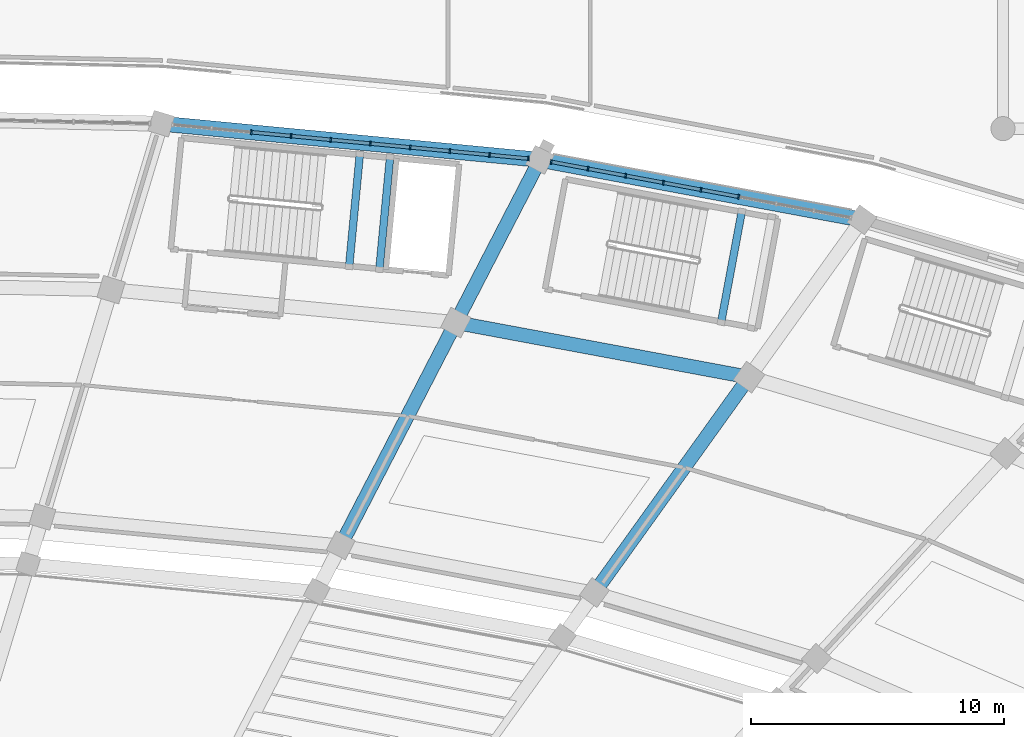
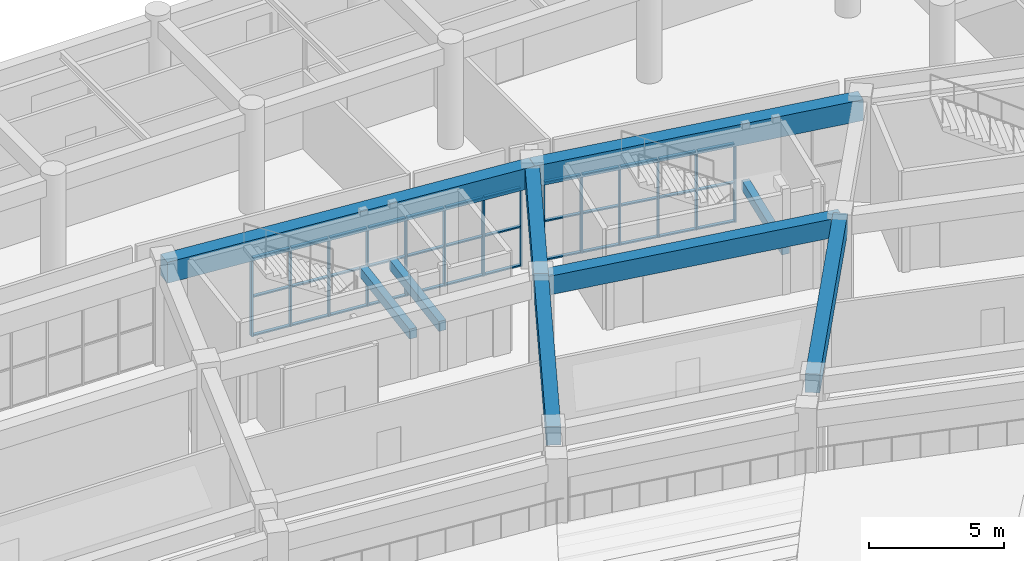
# One storey, part 70 of 152: 50 members, 9 beams, 2 elements without a shape of their own.
"""IFC4 building model written with IfcOpenShell, lengths in metres."""

from ifc_helpers import new_model, si_unit, direction, frame, origin, origin_2d, place, context, subcontext, project, spatial, rectangle, extrude, material, layer, layer_set, material_profile, profile_set, type_object, element, aggregate, save


model = new_model("IFC4")

# Units and contexts
model_context = context("Model", 3, precision=1e-05, world=origin(), true_north=direction((0.0, 1.0)))
body_context = subcontext(model_context, "Body", "Model", "MODEL_VIEW")
ifc_project = project(units=[si_unit("LENGTHUNIT", "METRE"), si_unit("AREAUNIT", "SQUARE_METRE"), si_unit("VOLUMEUNIT", "CUBIC_METRE"), si_unit("PLANEANGLEUNIT", "RADIAN"), si_unit("MASSUNIT", "GRAM", prefix="KILO")], contexts=[model_context])

# Site, building, storey
site_placement = place(None, origin())
site = spatial("IfcSite", under=ifc_project, at=site_placement, CompositionType="ELEMENT")
building_placement = place(site_placement, origin())
building = spatial("IfcBuilding", under=site, at=building_placement, Name="Mphavela Belvedere Stadium", CompositionType="ELEMENT")
storey_placement = place(building_placement, frame((0.0, 0.0, 5.39990234375)))
storey = spatial("IfcBuildingStorey", under=building, at=storey_placement, Name="L01", CompositionType="ELEMENT", Elevation=5.39990234375)

# Beams
ifc_material_1 = material(Name="Concrete C40/50", Category="concrete")
ifc_material_profile_1 = material_profile(ifc_material_1, rectangle(XDim=0.60009765625, YDim=0.949951171875, at=origin_2d()), Name="RC 600x950")
ifc_profile_set_1 = profile_set([ifc_material_profile_1], Name="Concrete C40/50")
beam_type_1 = type_object("IfcBeamType", Name="BM-ENTABLATURE-950", PredefinedType="SPANDREL", material=ifc_profile_set_1)
beam_1_placement = place(storey_placement, frame((164.80126953125, 156.39697265625, 4.0751953125), z_axis=(-0.983098571421, 0.183077029882, 0.0), x_axis=(-0.183077029882, -0.983098571421, 0.0)))
element("IfcBeam", 1, at=beam_1_placement, inside=storey, type_object=beam_type_1, Name="Circumferential girder L01 R4-10", PredefinedType="SPANDREL", context=body_context, shape_type="SweptSolid", body=[
    extrude(rectangle(XDim=0.60009765625, YDim=0.949951171875, at=origin_2d()), origin(), (0.0, 0.0, 1.0), 12.947265625),
])
beam_2_placement = place(storey_placement, frame((152.07275390625, 158.767333984375, 4.0751953125), z_axis=(-0.995483415661, 0.094935605244, 0.0), x_axis=(-0.094935605244, -0.995483415661, 0.0)))
element("IfcBeam", 2, at=beam_2_placement, inside=storey, type_object=beam_type_1, Name="Circumferential girder L01 R4-11", PredefinedType="SPANDREL", context=body_context, shape_type="SweptSolid", body=[
    extrude(rectangle(XDim=0.60009765625, YDim=0.949951171875, at=origin_2d()), origin(), (0.0, 0.0, 1.0), 15.026123046875),
])
ifc_material_2 = material(Name="Concrete C40/50", Category="concrete")
ifc_material_profile_2 = material_profile(ifc_material_2, rectangle(XDim=0.300048828125, YDim=0.449951171875, at=origin_2d()), Name="RC 300x450")
ifc_profile_set_2 = profile_set([ifc_material_profile_2], Name="Concrete C40/50")
beam_type_2 = type_object("IfcBeamType", Name="BM-RC300x450", PredefinedType="BEAM", material=ifc_profile_set_2)
beam_3_placement = place(storey_placement, frame((144.53515625, 154.541259765625, 1.97509765625), z_axis=(0.094981784239, 0.995479010659, 0.0), x_axis=(-0.995479010659, 0.094981784239, 0.0)))
element("IfcBeam", 3, at=beam_3_placement, inside=storey, type_object=beam_type_2, Name="Core C03 landing trimmer beam L01-1", PredefinedType="BEAM", context=body_context, shape_type="SweptSolid", body=[
    extrude(rectangle(XDim=0.300048828125, YDim=0.449951171875, at=origin_2d()), origin(), (0.0, 0.0, 1.0), 4.469970703125),
])
beam_4_placement = place(storey_placement, frame((145.729736328125, 154.42724609375, 1.97509765625), z_axis=(0.094976620198, 0.995479503363, 0.0), x_axis=(-0.995479503363, 0.094976620198, 0.0)))
element("IfcBeam", 4, at=beam_4_placement, inside=storey, type_object=beam_type_2, Name="Core C03 landing trimmer beam L01-2", PredefinedType="BEAM", context=body_context, shape_type="SweptSolid", body=[
    extrude(rectangle(XDim=0.300048828125, YDim=0.449951171875, at=origin_2d()), origin(), (0.0, 0.0, 1.0), 4.47021484375),
])
beam_5_placement = place(storey_placement, frame((159.233154296875, 152.34033203125, 1.97509765625), z_axis=(0.183137493709, 0.983087309652, 0.0), x_axis=(-0.983087309652, 0.183137493709, 0.0)))
element("IfcBeam", 5, at=beam_5_placement, inside=storey, type_object=beam_type_2, Name="Core P02 landing trimmer beam L01-1", PredefinedType="BEAM", context=body_context, shape_type="SweptSolid", body=[
    extrude(rectangle(XDim=0.300048828125, YDim=0.449951171875, at=origin_2d()), origin(), (0.0, 0.0, 1.0), 4.469970703125),
])
ifc_material_3 = material(Name="Concrete C40/50", Category="concrete")
ifc_material_profile_3 = material_profile(ifc_material_3, rectangle(XDim=0.550048828125, YDim=0.85009765625, at=origin_2d()), Name="RC 550x850")
ifc_profile_set_3 = profile_set([ifc_material_profile_3], Name="Concrete C40/50")
beam_type_3 = type_object("IfcBeamType", Name="BM-RC550x850", PredefinedType="BEAM", material=ifc_profile_set_3)
beam_6_placement = place(storey_placement, frame((160.337890625, 150.177490234375, 4.125), z_axis=(-0.983097725009, 0.18308157494, 0.0), x_axis=(-0.18308157494, -0.983097725009, 0.0)))
element("IfcBeam", 6, at=beam_6_placement, inside=storey, type_object=beam_type_3, Name="Circumferential girder L01 R3-10", PredefinedType="BEAM", context=body_context, shape_type="SweptSolid", body=[
    extrude(rectangle(XDim=0.550048828125, YDim=0.85009765625, at=origin_2d()), origin(), (0.0, 0.0, 1.0), 11.786865234375),
])
beam_7_placement = place(storey_placement, frame((154.230224609375, 141.66650390625, 4.125), z_axis=(0.583031296474, 0.812449695262, 0.0), x_axis=(-0.812449695262, 0.583031296474, 0.0)))
element("IfcBeam", 7, at=beam_7_placement, inside=storey, type_object=beam_type_3, Name="Radial concourse girder L01 R2R3-10", PredefinedType="BEAM", context=body_context, shape_type="SweptSolid", body=[
    extrude(rectangle(XDim=0.550048828125, YDim=0.85009765625, at=origin_2d()), origin(), (0.0, 0.0, 1.0), 10.475830078125),
])
beam_8_placement = place(storey_placement, frame((144.20361328125, 143.53369140625, 4.125), z_axis=(0.458944837734, 0.888464763464, 0.0), x_axis=(-0.888464763464, 0.458944837734, 0.0)))
element("IfcBeam", 8, at=beam_8_placement, inside=storey, type_object=beam_type_3, Name="Radial concourse girder L01 R2R3-11", PredefinedType="BEAM", context=body_context, shape_type="SweptSolid", body=[
    extrude(rectangle(XDim=0.550048828125, YDim=0.85009765625, at=origin_2d()), origin(), (0.0, 0.0, 1.0), 9.90673828125),
])
beam_9_placement = place(storey_placement, frame((148.750244140625, 152.33544921875, 4.125), z_axis=(0.458951286165, 0.888461432436, 0.0), x_axis=(-0.888461432436, 0.458951286165, 0.0)))
element("IfcBeam", 9, at=beam_9_placement, inside=storey, type_object=beam_type_3, Name="Radial concourse girder L01 R3R4-11", PredefinedType="BEAM", context=body_context, shape_type="SweptSolid", body=[
    extrude(rectangle(XDim=0.550048828125, YDim=0.85009765625, at=origin_2d()), origin(), (0.0, 0.0, 1.0), 7.2392578125),
])

# Curtain wall, members
ifc_material_4 = material(Name="Anodised bronze unitised curtain wall framing")
ifc_layer_1 = layer(ifc_material_4, 0.199951171875)
ifc_layer_set_1 = layer_set([ifc_layer_1], Name="Anodised bronze unitised curtain wall framing")
curtain_wall_type_1 = type_object("IfcCurtainWallType", Name="CW-UNIT-05", PredefinedType="USERDEFINED", material=ifc_layer_set_1)
curtain_wall_1_placement = place(storey_placement, origin())
curtain_wall_1 = element("IfcCurtainWall", 10, at=curtain_wall_1_placement, inside=storey, type_object=curtain_wall_type_1, Name="Belvedere colonnade curtain wall L01-10", ObjectType="UNITISED CURTAIN WALL", PredefinedType="USERDEFINED")
ifc_material_5 = material(Name="Anodised bronze extruded aluminium", Category="aluminium")
ifc_material_profile_4 = material_profile(ifc_material_5, rectangle(XDim=0.179931640625, YDim=0.06494140625, at=origin_2d()), Name="CW-MUL 180x65")
ifc_profile_set_4 = profile_set([ifc_material_profile_4], Name="Anodised bronze extruded aluminium")
member_type_1 = type_object("IfcMemberType", Name="CWM-180x65", PredefinedType="MULLION", material=ifc_profile_set_4)
member_1_placement = place(storey_placement, frame((159.924072265625, 157.30517578125, 0.0), z_axis=(0.0, 0.0, 1.0), x_axis=(-0.18309495886, -0.983095232437, 0.0)))
member_1 = element("IfcMember", 11, at=member_1_placement, type_object=member_type_1, Name="CW-05 mullion 4", PredefinedType="MULLION", context=body_context, shape_type="SweptSolid", body=[
    extrude(rectangle(XDim=0.179931640625, YDim=0.06494140625, at=origin_2d()), origin(), (0.0, 0.0, 1.0), 3.570068359375),
])
member_2_placement = place(storey_placement, frame((158.43701171875, 157.58203125, 0.0), z_axis=(0.0, 0.0, 1.0), x_axis=(-0.18309495886, -0.983095232437, 0.0)))
member_2 = element("IfcMember", 12, at=member_2_placement, type_object=member_type_1, Name="CW-05 mullion 5", PredefinedType="MULLION", context=body_context, shape_type="SweptSolid", body=[
    extrude(rectangle(XDim=0.179931640625, YDim=0.06494140625, at=origin_2d()), origin(), (0.0, 0.0, 1.0), 3.570068359375),
])
member_3_placement = place(storey_placement, frame((156.949951171875, 157.859130859375, 0.0), z_axis=(0.0, 0.0, 1.0), x_axis=(-0.18309495886, -0.983095232437, 0.0)))
member_3 = element("IfcMember", 13, at=member_3_placement, type_object=member_type_1, Name="CW-05 mullion 6", PredefinedType="MULLION", context=body_context, shape_type="SweptSolid", body=[
    extrude(rectangle(XDim=0.179931640625, YDim=0.06494140625, at=origin_2d()), origin(), (0.0, 0.0, 1.0), 3.570068359375),
])
member_4_placement = place(storey_placement, frame((155.462890625, 158.135986328125, 0.0), z_axis=(0.0, 0.0, 1.0), x_axis=(-0.18309495886, -0.983095232437, 0.0)))
member_4 = element("IfcMember", 14, at=member_4_placement, type_object=member_type_1, Name="CW-05 mullion 7", PredefinedType="MULLION", context=body_context, shape_type="SweptSolid", body=[
    extrude(rectangle(XDim=0.179931640625, YDim=0.06494140625, at=origin_2d()), origin(), (0.0, 0.0, 1.0), 3.570068359375),
])
member_5_placement = place(storey_placement, frame((153.9755859375, 158.4130859375, 0.0), z_axis=(0.0, 0.0, 1.0), x_axis=(-0.18309495886, -0.983095232437, 0.0)))
member_5 = element("IfcMember", 15, at=member_5_placement, type_object=member_type_1, Name="CW-05 mullion 8", PredefinedType="MULLION", context=body_context, shape_type="SweptSolid", body=[
    extrude(rectangle(XDim=0.179931640625, YDim=0.06494140625, at=origin_2d()), origin(), (0.0, 0.0, 1.0), 3.570068359375),
])
member_6_placement = place(storey_placement, frame((152.5205078125, 158.68408203125, 0.0), z_axis=(0.0, 0.0, 1.0), x_axis=(-0.18309495886, -0.983095232437, 0.0)))
member_6 = element("IfcMember", 16, at=member_6_placement, type_object=member_type_1, Name="CW-05 mullion 9", PredefinedType="MULLION", context=body_context, shape_type="SweptSolid", body=[
    extrude(rectangle(XDim=0.179931640625, YDim=0.06494140625, at=origin_2d()), origin(), (0.0, 0.0, 1.0), 3.570068359375),
])

ifc_material_6 = material(Name="Anodised bronze unitised curtain wall framing")
ifc_layer_2 = layer(ifc_material_6, 0.205078125)
ifc_layer_set_2 = layer_set([ifc_layer_2], Name="Anodised bronze unitised curtain wall framing")
curtain_wall_type_2 = type_object("IfcCurtainWallType", Name="CW-UNIT-06", PredefinedType="USERDEFINED", material=ifc_layer_set_2)
curtain_wall_2_placement = place(storey_placement, origin())
curtain_wall_2 = element("IfcCurtainWall", 17, at=curtain_wall_2_placement, inside=storey, type_object=curtain_wall_type_2, Name="Belvedere colonnade curtain wall L01-11", ObjectType="UNITISED CURTAIN WALL", PredefinedType="USERDEFINED")
member_7_placement = place(storey_placement, frame((151.619384765625, 158.810791015625, 0.0), z_axis=(0.0, 0.0, 1.0), x_axis=(-0.094922243726, -0.99548468981, 0.0)))
member_7 = element("IfcMember", 18, at=member_7_placement, type_object=member_type_1, Name="CW-06 mullion 1", PredefinedType="MULLION", context=body_context, shape_type="SweptSolid", body=[
    extrude(rectangle(XDim=0.179931640625, YDim=0.06494140625, at=origin_2d()), origin(), (0.0, 0.0, 1.0), 3.570068359375),
])
member_8_placement = place(storey_placement, frame((150.083251953125, 158.957275390625, 0.0), z_axis=(0.0, 0.0, 1.0), x_axis=(-0.094922243726, -0.99548468981, 0.0)))
member_8 = element("IfcMember", 19, at=member_8_placement, type_object=member_type_1, Name="CW-06 mullion 2", PredefinedType="MULLION", context=body_context, shape_type="SweptSolid", body=[
    extrude(rectangle(XDim=0.179931640625, YDim=0.06494140625, at=origin_2d()), origin(), (0.0, 0.0, 1.0), 3.570068359375),
])
member_9_placement = place(storey_placement, frame((148.514892578125, 159.106689453125, 0.0), z_axis=(0.0, 0.0, 1.0), x_axis=(-0.094922243726, -0.99548468981, 0.0)))
member_9 = element("IfcMember", 20, at=member_9_placement, type_object=member_type_1, Name="CW-06 mullion 3", PredefinedType="MULLION", context=body_context, shape_type="SweptSolid", body=[
    extrude(rectangle(XDim=0.179931640625, YDim=0.06494140625, at=origin_2d()), origin(), (0.0, 0.0, 1.0), 3.570068359375),
])
member_10_placement = place(storey_placement, frame((146.9462890625, 159.25634765625, 0.0), z_axis=(0.0, 0.0, 1.0), x_axis=(-0.094922243726, -0.99548468981, 0.0)))
member_10 = element("IfcMember", 21, at=member_10_placement, type_object=member_type_1, Name="CW-06 mullion 4", PredefinedType="MULLION", context=body_context, shape_type="SweptSolid", body=[
    extrude(rectangle(XDim=0.179931640625, YDim=0.06494140625, at=origin_2d()), origin(), (0.0, 0.0, 1.0), 3.570068359375),
])
member_11_placement = place(storey_placement, frame((145.3779296875, 159.40576171875, 0.0), z_axis=(0.0, 0.0, 1.0), x_axis=(-0.094922243726, -0.99548468981, 0.0)))
member_11 = element("IfcMember", 22, at=member_11_placement, type_object=member_type_1, Name="CW-06 mullion 5", PredefinedType="MULLION", context=body_context, shape_type="SweptSolid", body=[
    extrude(rectangle(XDim=0.179931640625, YDim=0.06494140625, at=origin_2d()), origin(), (0.0, 0.0, 1.0), 3.570068359375),
])
member_12_placement = place(storey_placement, frame((143.8095703125, 159.555419921875, 0.0), z_axis=(0.0, 0.0, 1.0), x_axis=(-0.094922243726, -0.99548468981, 0.0)))
member_12 = element("IfcMember", 23, at=member_12_placement, type_object=member_type_1, Name="CW-06 mullion 6", PredefinedType="MULLION", context=body_context, shape_type="SweptSolid", body=[
    extrude(rectangle(XDim=0.179931640625, YDim=0.06494140625, at=origin_2d()), origin(), (0.0, 0.0, 1.0), 3.570068359375),
])
member_13_placement = place(storey_placement, frame((142.240966796875, 159.704833984375, 0.0), z_axis=(0.0, 0.0, 1.0), x_axis=(-0.094922243726, -0.99548468981, 0.0)))
member_13 = element("IfcMember", 24, at=member_13_placement, type_object=member_type_1, Name="CW-06 mullion 7", PredefinedType="MULLION", context=body_context, shape_type="SweptSolid", body=[
    extrude(rectangle(XDim=0.179931640625, YDim=0.06494140625, at=origin_2d()), origin(), (0.0, 0.0, 1.0), 3.570068359375),
])
member_14_placement = place(storey_placement, frame((140.672607421875, 159.8544921875, 0.0), z_axis=(0.0, 0.0, 1.0), x_axis=(-0.094922243726, -0.99548468981, 0.0)))
member_14 = element("IfcMember", 25, at=member_14_placement, type_object=member_type_1, Name="CW-06 mullion 8", PredefinedType="MULLION", context=body_context, shape_type="SweptSolid", body=[
    extrude(rectangle(XDim=0.179931640625, YDim=0.06494140625, at=origin_2d()), origin(), (0.0, 0.0, 1.0), 3.570068359375),
])

# Member
ifc_material_7 = material(Name="Anodised bronze extruded aluminium", Category="aluminium")
ifc_material_profile_5 = material_profile(ifc_material_7, rectangle(XDim=0.139892578125, YDim=0.06005859375, at=origin_2d()), Name="CW-TRN 140x60")
ifc_profile_set_5 = profile_set([ifc_material_profile_5], Name="Anodised bronze extruded aluminium")
member_type_2 = type_object("IfcMemberType", Name="CWT-140x60", PredefinedType="USERDEFINED", material=ifc_profile_set_5)
member_15_placement = place(storey_placement, frame((159.89208984375, 157.31103515625, 0.030029296875), z_axis=(-0.983083468117, 0.183158113977, 0.0), x_axis=(-0.183158113977, -0.983083468117, 0.0)))
member_15 = element("IfcMember", 26, at=member_15_placement, type_object=member_type_2, Name="CW-05 transom 4.1", ObjectType="TRANSOM", PredefinedType="USERDEFINED", context=body_context, shape_type="SweptSolid", body=[
    extrude(rectangle(XDim=0.139892578125, YDim=0.06005859375, at=origin_2d()), origin(), (0.0, 0.0, 1.0), 1.447509765625),
])

member_16_placement = place(storey_placement, frame((159.89208984375, 157.31103515625, 1.78515625), z_axis=(-0.983083468117, 0.183158113977, 0.0), x_axis=(-0.183158113977, -0.983083468117, 0.0)))
member_16 = element("IfcMember", 27, at=member_16_placement, type_object=member_type_2, Name="CW-05 transom 4.2", ObjectType="TRANSOM", PredefinedType="USERDEFINED", context=body_context, shape_type="SweptSolid", body=[
    extrude(rectangle(XDim=0.139892578125, YDim=0.06005859375, at=origin_2d()), origin(), (0.0, 0.0, 1.0), 1.447509765625),
])

member_17_placement = place(storey_placement, frame((159.89208984375, 157.31103515625, 3.5400390625), z_axis=(-0.983083468117, 0.183158113977, 0.0), x_axis=(-0.183158113977, -0.983083468117, 0.0)))
member_17 = element("IfcMember", 28, at=member_17_placement, type_object=member_type_2, Name="CW-05 transom 4.3", ObjectType="TRANSOM", PredefinedType="USERDEFINED", context=body_context, shape_type="SweptSolid", body=[
    extrude(rectangle(XDim=0.139892578125, YDim=0.06005859375, at=origin_2d()), origin(), (0.0, 0.0, 1.0), 1.447509765625),
])

member_18_placement = place(storey_placement, frame((158.405029296875, 157.588134765625, 0.030029296875), z_axis=(-0.983083468117, 0.183158113977, 0.0), x_axis=(-0.183158113977, -0.983083468117, 0.0)))
member_18 = element("IfcMember", 29, at=member_18_placement, type_object=member_type_2, Name="CW-05 transom 5.1", ObjectType="TRANSOM", PredefinedType="USERDEFINED", context=body_context, shape_type="SweptSolid", body=[
    extrude(rectangle(XDim=0.139892578125, YDim=0.06005859375, at=origin_2d()), origin(), (0.0, 0.0, 1.0), 1.447509765625),
])

member_19_placement = place(storey_placement, frame((158.405029296875, 157.588134765625, 1.78515625), z_axis=(-0.983083468117, 0.183158113977, 0.0), x_axis=(-0.183158113977, -0.983083468117, 0.0)))
member_19 = element("IfcMember", 30, at=member_19_placement, type_object=member_type_2, Name="CW-05 transom 5.2", ObjectType="TRANSOM", PredefinedType="USERDEFINED", context=body_context, shape_type="SweptSolid", body=[
    extrude(rectangle(XDim=0.139892578125, YDim=0.06005859375, at=origin_2d()), origin(), (0.0, 0.0, 1.0), 1.447509765625),
])

member_20_placement = place(storey_placement, frame((158.405029296875, 157.588134765625, 3.5400390625), z_axis=(-0.983083468117, 0.183158113977, 0.0), x_axis=(-0.183158113977, -0.983083468117, 0.0)))
member_20 = element("IfcMember", 31, at=member_20_placement, type_object=member_type_2, Name="CW-05 transom 5.3", ObjectType="TRANSOM", PredefinedType="USERDEFINED", context=body_context, shape_type="SweptSolid", body=[
    extrude(rectangle(XDim=0.139892578125, YDim=0.06005859375, at=origin_2d()), origin(), (0.0, 0.0, 1.0), 1.447509765625),
])

member_21_placement = place(storey_placement, frame((156.91796875, 157.864990234375, 0.030029296875), z_axis=(-0.983089124524, 0.183127751155, 0.0), x_axis=(-0.183127751155, -0.983089124524, 0.0)))
member_21 = element("IfcMember", 32, at=member_21_placement, type_object=member_type_2, Name="CW-05 transom 6.1", ObjectType="TRANSOM", PredefinedType="USERDEFINED", context=body_context, shape_type="SweptSolid", body=[
    extrude(rectangle(XDim=0.139892578125, YDim=0.06005859375, at=origin_2d()), origin(), (0.0, 0.0, 1.0), 1.44775390625),
])

member_22_placement = place(storey_placement, frame((156.91796875, 157.864990234375, 1.78515625), z_axis=(-0.983089124524, 0.183127751155, 0.0), x_axis=(-0.183127751155, -0.983089124524, 0.0)))
member_22 = element("IfcMember", 33, at=member_22_placement, type_object=member_type_2, Name="CW-05 transom 6.2", ObjectType="TRANSOM", PredefinedType="USERDEFINED", context=body_context, shape_type="SweptSolid", body=[
    extrude(rectangle(XDim=0.139892578125, YDim=0.06005859375, at=origin_2d()), origin(), (0.0, 0.0, 1.0), 1.44775390625),
])

member_23_placement = place(storey_placement, frame((156.91796875, 157.864990234375, 3.5400390625), z_axis=(-0.983089124524, 0.183127751155, 0.0), x_axis=(-0.183127751155, -0.983089124524, 0.0)))
member_23 = element("IfcMember", 34, at=member_23_placement, type_object=member_type_2, Name="CW-05 transom 6.3", ObjectType="TRANSOM", PredefinedType="USERDEFINED", context=body_context, shape_type="SweptSolid", body=[
    extrude(rectangle(XDim=0.139892578125, YDim=0.06005859375, at=origin_2d()), origin(), (0.0, 0.0, 1.0), 1.44775390625),
])

member_24_placement = place(storey_placement, frame((155.430908203125, 158.14208984375, 0.030029296875), z_axis=(-0.983119469828, 0.182964772687, 0.0), x_axis=(-0.182964772687, -0.983119469828, 0.0)))
member_24 = element("IfcMember", 35, at=member_24_placement, type_object=member_type_2, Name="CW-05 transom 7.1", ObjectType="TRANSOM", PredefinedType="USERDEFINED", context=body_context, shape_type="SweptSolid", body=[
    extrude(rectangle(XDim=0.139892578125, YDim=0.06005859375, at=origin_2d()), origin(), (0.0, 0.0, 1.0), 1.44775390625),
])

member_25_placement = place(storey_placement, frame((155.430908203125, 158.14208984375, 1.78515625), z_axis=(-0.983119469828, 0.182964772687, 0.0), x_axis=(-0.182964772687, -0.983119469828, 0.0)))
member_25 = element("IfcMember", 36, at=member_25_placement, type_object=member_type_2, Name="CW-05 transom 7.2", ObjectType="TRANSOM", PredefinedType="USERDEFINED", context=body_context, shape_type="SweptSolid", body=[
    extrude(rectangle(XDim=0.139892578125, YDim=0.06005859375, at=origin_2d()), origin(), (0.0, 0.0, 1.0), 1.44775390625),
])

member_26_placement = place(storey_placement, frame((155.430908203125, 158.14208984375, 3.5400390625), z_axis=(-0.983119469828, 0.182964772687, 0.0), x_axis=(-0.182964772687, -0.983119469828, 0.0)))
member_26 = element("IfcMember", 37, at=member_26_placement, type_object=member_type_2, Name="CW-05 transom 7.3", ObjectType="TRANSOM", PredefinedType="USERDEFINED", context=body_context, shape_type="SweptSolid", body=[
    extrude(rectangle(XDim=0.139892578125, YDim=0.06005859375, at=origin_2d()), origin(), (0.0, 0.0, 1.0), 1.44775390625),
])

member_27_placement = place(storey_placement, frame((153.94384765625, 158.4189453125, 0.030029296875), z_axis=(-0.983107678668, 0.183028118453, 0.0), x_axis=(-0.183028118453, -0.983107678668, 0.0)))
member_27 = element("IfcMember", 38, at=member_27_placement, type_object=member_type_2, Name="CW-05 transom 8.1", ObjectType="TRANSOM", PredefinedType="USERDEFINED", context=body_context, shape_type="SweptSolid", body=[
    extrude(rectangle(XDim=0.139892578125, YDim=0.06005859375, at=origin_2d()), origin(), (0.0, 0.0, 1.0), 1.415283203125),
])

member_28_placement = place(storey_placement, frame((153.94384765625, 158.4189453125, 1.78515625), z_axis=(-0.983107678668, 0.183028118453, 0.0), x_axis=(-0.183028118453, -0.983107678668, 0.0)))
member_28 = element("IfcMember", 39, at=member_28_placement, type_object=member_type_2, Name="CW-05 transom 8.2", ObjectType="TRANSOM", PredefinedType="USERDEFINED", context=body_context, shape_type="SweptSolid", body=[
    extrude(rectangle(XDim=0.139892578125, YDim=0.06005859375, at=origin_2d()), origin(), (0.0, 0.0, 1.0), 1.415283203125),
])

member_29_placement = place(storey_placement, frame((153.94384765625, 158.4189453125, 3.5400390625), z_axis=(-0.983107678668, 0.183028118453, 0.0), x_axis=(-0.183028118453, -0.983107678668, 0.0)))
member_29 = element("IfcMember", 40, at=member_29_placement, type_object=member_type_2, Name="CW-05 transom 8.3", ObjectType="TRANSOM", PredefinedType="USERDEFINED", context=body_context, shape_type="SweptSolid", body=[
    extrude(rectangle(XDim=0.139892578125, YDim=0.06005859375, at=origin_2d()), origin(), (0.0, 0.0, 1.0), 1.415283203125),
])

aggregate(curtain_wall_1, [member_1, member_2, member_3, member_4, member_5, member_6, member_15, member_16, member_17, member_18, member_19, member_20, member_21, member_22, member_23, member_24, member_25, member_26, member_27, member_28, member_29])

member_30_placement = place(storey_placement, frame((151.5869140625, 158.813720703125, 0.030029296875), z_axis=(-0.995478379881, 0.094988395027, 0.0), x_axis=(-0.094988395027, -0.995478379881, 0.0)))
member_30 = element("IfcMember", 41, at=member_30_placement, type_object=member_type_2, Name="CW-06 transom 1.1", ObjectType="TRANSOM", PredefinedType="USERDEFINED", context=body_context, shape_type="SweptSolid", body=[
    extrude(rectangle(XDim=0.139892578125, YDim=0.06005859375, at=origin_2d()), origin(), (0.0, 0.0, 1.0), 1.477783203125),
])

member_31_placement = place(storey_placement, frame((151.5869140625, 158.813720703125, 1.78515625), z_axis=(-0.995478379881, 0.094988395027, 0.0), x_axis=(-0.094988395027, -0.995478379881, 0.0)))
member_31 = element("IfcMember", 42, at=member_31_placement, type_object=member_type_2, Name="CW-06 transom 1.2", ObjectType="TRANSOM", PredefinedType="USERDEFINED", context=body_context, shape_type="SweptSolid", body=[
    extrude(rectangle(XDim=0.139892578125, YDim=0.06005859375, at=origin_2d()), origin(), (0.0, 0.0, 1.0), 1.477783203125),
])

member_32_placement = place(storey_placement, frame((151.5869140625, 158.813720703125, 3.5400390625), z_axis=(-0.995478379881, 0.094988395027, 0.0), x_axis=(-0.094988395027, -0.995478379881, 0.0)))
member_32 = element("IfcMember", 43, at=member_32_placement, type_object=member_type_2, Name="CW-06 transom 1.3", ObjectType="TRANSOM", PredefinedType="USERDEFINED", context=body_context, shape_type="SweptSolid", body=[
    extrude(rectangle(XDim=0.139892578125, YDim=0.06005859375, at=origin_2d()), origin(), (0.0, 0.0, 1.0), 1.477783203125),
])

member_33_placement = place(storey_placement, frame((150.05078125, 158.960205078125, 0.030029296875), z_axis=(-0.99548893232, 0.094877740424, 0.0), x_axis=(-0.094877740424, -0.99548893232, 0.0)))
member_33 = element("IfcMember", 44, at=member_33_placement, type_object=member_type_2, Name="CW-06 transom 2.1", ObjectType="TRANSOM", PredefinedType="USERDEFINED", context=body_context, shape_type="SweptSolid", body=[
    extrude(rectangle(XDim=0.139892578125, YDim=0.06005859375, at=origin_2d()), origin(), (0.0, 0.0, 1.0), 1.510498046875),
])

member_34_placement = place(storey_placement, frame((150.05078125, 158.960205078125, 1.78515625), z_axis=(-0.99548893232, 0.094877740424, 0.0), x_axis=(-0.094877740424, -0.99548893232, 0.0)))
member_34 = element("IfcMember", 45, at=member_34_placement, type_object=member_type_2, Name="CW-06 transom 2.2", ObjectType="TRANSOM", PredefinedType="USERDEFINED", context=body_context, shape_type="SweptSolid", body=[
    extrude(rectangle(XDim=0.139892578125, YDim=0.06005859375, at=origin_2d()), origin(), (0.0, 0.0, 1.0), 1.510498046875),
])

member_35_placement = place(storey_placement, frame((150.05078125, 158.960205078125, 3.5400390625), z_axis=(-0.99548893232, 0.094877740424, 0.0), x_axis=(-0.094877740424, -0.99548893232, 0.0)))
member_35 = element("IfcMember", 46, at=member_35_placement, type_object=member_type_2, Name="CW-06 transom 2.3", ObjectType="TRANSOM", PredefinedType="USERDEFINED", context=body_context, shape_type="SweptSolid", body=[
    extrude(rectangle(XDim=0.139892578125, YDim=0.06005859375, at=origin_2d()), origin(), (0.0, 0.0, 1.0), 1.510498046875),
])

member_36_placement = place(storey_placement, frame((148.482421875, 159.10986328125, 0.030029296875), z_axis=(-0.99548893232, 0.094877740424, 0.0), x_axis=(-0.094877740424, -0.99548893232, 0.0)))
member_36 = element("IfcMember", 47, at=member_36_placement, type_object=member_type_2, Name="CW-06 transom 3.1", ObjectType="TRANSOM", PredefinedType="USERDEFINED", context=body_context, shape_type="SweptSolid", body=[
    extrude(rectangle(XDim=0.139892578125, YDim=0.06005859375, at=origin_2d()), origin(), (0.0, 0.0, 1.0), 1.510498046875),
])

member_37_placement = place(storey_placement, frame((148.482421875, 159.10986328125, 1.78515625), z_axis=(-0.99548893232, 0.094877740424, 0.0), x_axis=(-0.094877740424, -0.99548893232, 0.0)))
member_37 = element("IfcMember", 48, at=member_37_placement, type_object=member_type_2, Name="CW-06 transom 3.2", ObjectType="TRANSOM", PredefinedType="USERDEFINED", context=body_context, shape_type="SweptSolid", body=[
    extrude(rectangle(XDim=0.139892578125, YDim=0.06005859375, at=origin_2d()), origin(), (0.0, 0.0, 1.0), 1.510498046875),
])

member_38_placement = place(storey_placement, frame((148.482421875, 159.10986328125, 3.5400390625), z_axis=(-0.99548893232, 0.094877740424, 0.0), x_axis=(-0.094877740424, -0.99548893232, 0.0)))
member_38 = element("IfcMember", 49, at=member_38_placement, type_object=member_type_2, Name="CW-06 transom 3.3", ObjectType="TRANSOM", PredefinedType="USERDEFINED", context=body_context, shape_type="SweptSolid", body=[
    extrude(rectangle(XDim=0.139892578125, YDim=0.06005859375, at=origin_2d()), origin(), (0.0, 0.0, 1.0), 1.510498046875),
])

member_39_placement = place(storey_placement, frame((146.9140625, 159.25927734375, 0.030029296875), z_axis=(-0.995475113122, 0.095022624434, 0.0), x_axis=(-0.095022624434, -0.995475113122, 0.0)))
member_39 = element("IfcMember", 50, at=member_39_placement, type_object=member_type_2, Name="CW-06 transom 4.1", ObjectType="TRANSOM", PredefinedType="USERDEFINED", context=body_context, shape_type="SweptSolid", body=[
    extrude(rectangle(XDim=0.139892578125, YDim=0.06005859375, at=origin_2d()), origin(), (0.0, 0.0, 1.0), 1.5107421875),
])

member_40_placement = place(storey_placement, frame((146.9140625, 159.25927734375, 1.78515625), z_axis=(-0.995475113122, 0.095022624434, 0.0), x_axis=(-0.095022624434, -0.995475113122, 0.0)))
member_40 = element("IfcMember", 51, at=member_40_placement, type_object=member_type_2, Name="CW-06 transom 4.2", ObjectType="TRANSOM", PredefinedType="USERDEFINED", context=body_context, shape_type="SweptSolid", body=[
    extrude(rectangle(XDim=0.139892578125, YDim=0.06005859375, at=origin_2d()), origin(), (0.0, 0.0, 1.0), 1.5107421875),
])

member_41_placement = place(storey_placement, frame((146.9140625, 159.25927734375, 3.5400390625), z_axis=(-0.995475113122, 0.095022624434, 0.0), x_axis=(-0.095022624434, -0.995475113122, 0.0)))
member_41 = element("IfcMember", 52, at=member_41_placement, type_object=member_type_2, Name="CW-06 transom 4.3", ObjectType="TRANSOM", PredefinedType="USERDEFINED", context=body_context, shape_type="SweptSolid", body=[
    extrude(rectangle(XDim=0.139892578125, YDim=0.06005859375, at=origin_2d()), origin(), (0.0, 0.0, 1.0), 1.5107421875),
])

member_42_placement = place(storey_placement, frame((145.345458984375, 159.408935546875, 0.030029296875), z_axis=(-0.99548893232, 0.094877740424, 0.0), x_axis=(-0.094877740424, -0.99548893232, 0.0)))
member_42 = element("IfcMember", 53, at=member_42_placement, type_object=member_type_2, Name="CW-06 transom 5.1", ObjectType="TRANSOM", PredefinedType="USERDEFINED", context=body_context, shape_type="SweptSolid", body=[
    extrude(rectangle(XDim=0.139892578125, YDim=0.06005859375, at=origin_2d()), origin(), (0.0, 0.0, 1.0), 1.510498046875),
])

member_43_placement = place(storey_placement, frame((145.345458984375, 159.408935546875, 1.78515625), z_axis=(-0.99548893232, 0.094877740424, 0.0), x_axis=(-0.094877740424, -0.99548893232, 0.0)))
member_43 = element("IfcMember", 54, at=member_43_placement, type_object=member_type_2, Name="CW-06 transom 5.2", ObjectType="TRANSOM", PredefinedType="USERDEFINED", context=body_context, shape_type="SweptSolid", body=[
    extrude(rectangle(XDim=0.139892578125, YDim=0.06005859375, at=origin_2d()), origin(), (0.0, 0.0, 1.0), 1.510498046875),
])

member_44_placement = place(storey_placement, frame((145.345458984375, 159.408935546875, 3.5400390625), z_axis=(-0.99548893232, 0.094877740424, 0.0), x_axis=(-0.094877740424, -0.99548893232, 0.0)))
member_44 = element("IfcMember", 55, at=member_44_placement, type_object=member_type_2, Name="CW-06 transom 5.3", ObjectType="TRANSOM", PredefinedType="USERDEFINED", context=body_context, shape_type="SweptSolid", body=[
    extrude(rectangle(XDim=0.139892578125, YDim=0.06005859375, at=origin_2d()), origin(), (0.0, 0.0, 1.0), 1.510498046875),
])

member_45_placement = place(storey_placement, frame((143.777099609375, 159.558349609375, 0.030029296875), z_axis=(-0.995473653607, 0.09503791335, 0.0), x_axis=(-0.09503791335, -0.995473653607, 0.0)))
member_45 = element("IfcMember", 56, at=member_45_placement, type_object=member_type_2, Name="CW-06 transom 6.1", ObjectType="TRANSOM", PredefinedType="USERDEFINED", context=body_context, shape_type="SweptSolid", body=[
    extrude(rectangle(XDim=0.139892578125, YDim=0.06005859375, at=origin_2d()), origin(), (0.0, 0.0, 1.0), 1.510498046875),
])

member_46_placement = place(storey_placement, frame((143.777099609375, 159.558349609375, 1.78515625), z_axis=(-0.995473653607, 0.09503791335, 0.0), x_axis=(-0.09503791335, -0.995473653607, 0.0)))
member_46 = element("IfcMember", 57, at=member_46_placement, type_object=member_type_2, Name="CW-06 transom 6.2", ObjectType="TRANSOM", PredefinedType="USERDEFINED", context=body_context, shape_type="SweptSolid", body=[
    extrude(rectangle(XDim=0.139892578125, YDim=0.06005859375, at=origin_2d()), origin(), (0.0, 0.0, 1.0), 1.510498046875),
])

member_47_placement = place(storey_placement, frame((143.777099609375, 159.558349609375, 3.5400390625), z_axis=(-0.995473653607, 0.09503791335, 0.0), x_axis=(-0.09503791335, -0.995473653607, 0.0)))
member_47 = element("IfcMember", 58, at=member_47_placement, type_object=member_type_2, Name="CW-06 transom 6.3", ObjectType="TRANSOM", PredefinedType="USERDEFINED", context=body_context, shape_type="SweptSolid", body=[
    extrude(rectangle(XDim=0.139892578125, YDim=0.06005859375, at=origin_2d()), origin(), (0.0, 0.0, 1.0), 1.510498046875),
])

member_48_placement = place(storey_placement, frame((142.208740234375, 159.7080078125, 0.030029296875), z_axis=(-0.995490386942, 0.094862476808, 0.0), x_axis=(-0.094862476808, -0.995490386942, 0.0)))
member_48 = element("IfcMember", 59, at=member_48_placement, type_object=member_type_2, Name="CW-06 transom 7.1", ObjectType="TRANSOM", PredefinedType="USERDEFINED", context=body_context, shape_type="SweptSolid", body=[
    extrude(rectangle(XDim=0.139892578125, YDim=0.06005859375, at=origin_2d()), origin(), (0.0, 0.0, 1.0), 1.5107421875),
])

member_49_placement = place(storey_placement, frame((142.208740234375, 159.7080078125, 1.78515625), z_axis=(-0.995490386942, 0.094862476808, 0.0), x_axis=(-0.094862476808, -0.995490386942, 0.0)))
member_49 = element("IfcMember", 60, at=member_49_placement, type_object=member_type_2, Name="CW-06 transom 7.2", ObjectType="TRANSOM", PredefinedType="USERDEFINED", context=body_context, shape_type="SweptSolid", body=[
    extrude(rectangle(XDim=0.139892578125, YDim=0.06005859375, at=origin_2d()), origin(), (0.0, 0.0, 1.0), 1.5107421875),
])

member_50_placement = place(storey_placement, frame((142.208740234375, 159.7080078125, 3.5400390625), z_axis=(-0.995490386942, 0.094862476808, 0.0), x_axis=(-0.094862476808, -0.995490386942, 0.0)))
member_50 = element("IfcMember", 61, at=member_50_placement, type_object=member_type_2, Name="CW-06 transom 7.3", ObjectType="TRANSOM", PredefinedType="USERDEFINED", context=body_context, shape_type="SweptSolid", body=[
    extrude(rectangle(XDim=0.139892578125, YDim=0.06005859375, at=origin_2d()), origin(), (0.0, 0.0, 1.0), 1.5107421875),
])

aggregate(curtain_wall_2, [member_7, member_8, member_9, member_10, member_11, member_12, member_13, member_14, member_30, member_31, member_32, member_33, member_34, member_35, member_36, member_37, member_38, member_39, member_40, member_41, member_42, member_43, member_44, member_45, member_46, member_47, member_48, member_49, member_50])

save(model, "model.ifc")
